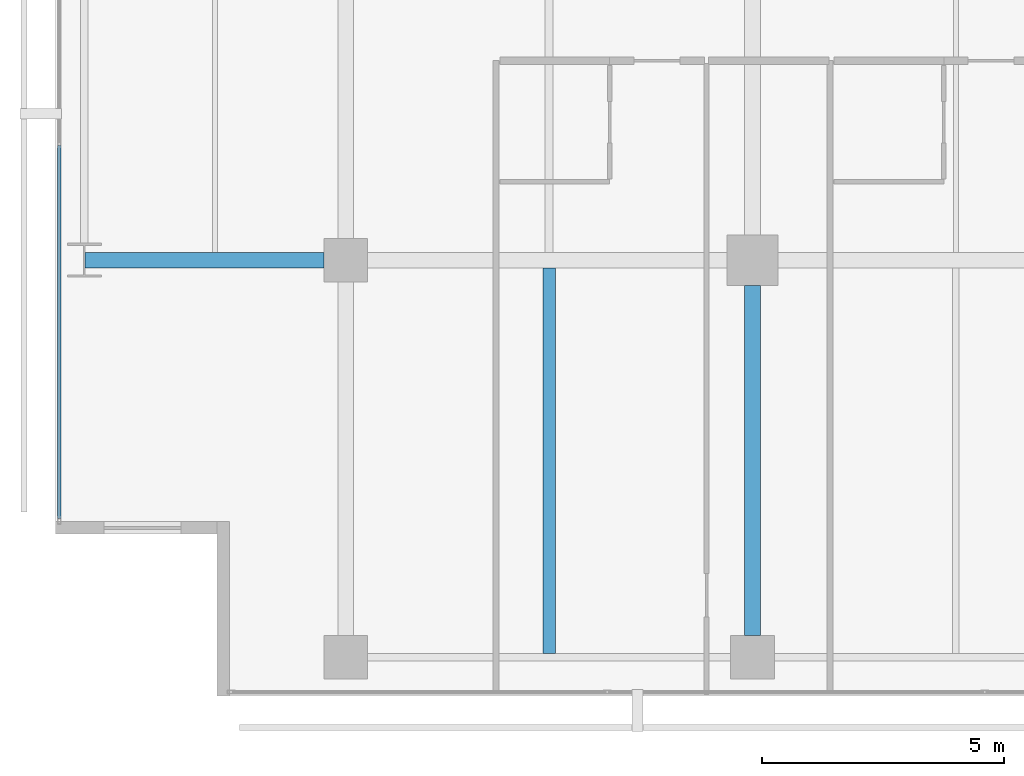
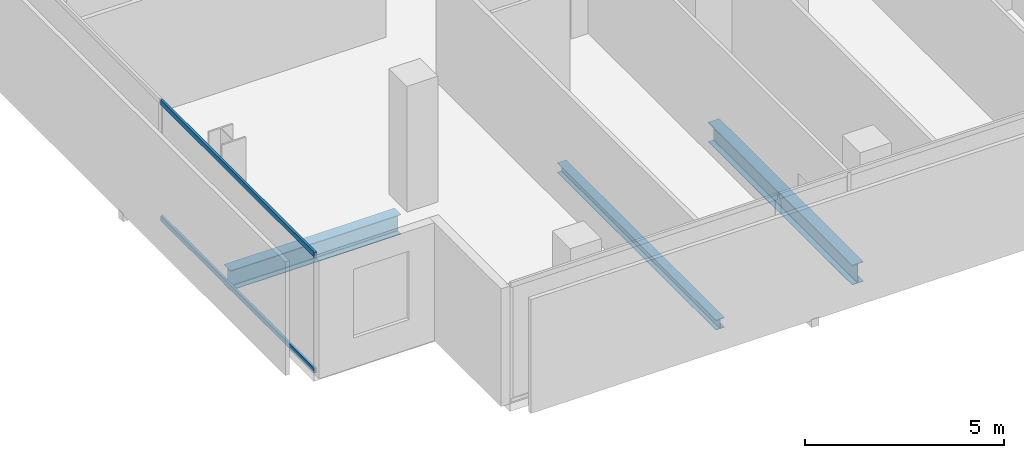
# One storey, part 4 of 40: 3 beams, 2 members, 1 element without a shape of its own.
"""IFC4 building model written with IfcOpenShell, lengths in metres."""

from ifc_helpers import new_model, si_unit, direction, frame, origin, origin_2d, place, context, subcontext, project, spatial, hollow_rectangle, i_section, extrude, material, layer, layer_set, material_profile, profile_set, type_object, element, aggregate, save


model = new_model("IFC4")

# Units and contexts
model_context = context("Model", 3, precision=1e-05, world=origin(), true_north=direction((0.0, 1.0)))
body_context = subcontext(model_context, "Body", "Model", "MODEL_VIEW")
ifc_project = project(units=[si_unit("LENGTHUNIT", "METRE"), si_unit("AREAUNIT", "SQUARE_METRE"), si_unit("VOLUMEUNIT", "CUBIC_METRE"), si_unit("PLANEANGLEUNIT", "RADIAN"), si_unit("MASSUNIT", "GRAM", prefix="KILO")], contexts=[model_context])

# Site, building, storey
site_placement = place(None, origin())
site = spatial("IfcSite", under=ifc_project, at=site_placement, CompositionType="ELEMENT")
building_placement = place(site_placement, origin())
building = spatial("IfcBuilding", under=site, at=building_placement, Name="Maruvema Waterfront Hotel and Observation Tower", CompositionType="ELEMENT")
storey_placement = place(building_placement, frame((0.0, 0.0, 77.0)))
storey = spatial("IfcBuildingStorey", under=building, at=storey_placement, Name="L18", CompositionType="ELEMENT", Elevation=77.0)

# Curtain wall, members
ifc_material_1 = material(Name="Anodised bronze aluminium and solar-control low-E IGU", Category="aluminium")
ifc_layer = layer(ifc_material_1, 0.159912109375, Name="Zone 1 Bronze Inner Thermal Curtain Wall System CW-02")
ifc_layer_set = layer_set([ifc_layer], Name="Anodised bronze aluminium and solar-control low-E IGU")
curtain_wall_type = type_object("IfcCurtainWallType", Name="Zone 1 Bronze Inner Thermal Curtain Wall System CW-02", PredefinedType="USERDEFINED", material=ifc_layer_set)
curtain_wall_placement = place(storey_placement, origin())
curtain_wall = element("IfcCurtainWall", 1, at=curtain_wall_placement, inside=storey, type_object=curtain_wall_type, Name="L18 Curtain Wall CW-L18-W", ObjectType="UNITISED CURTAIN WALL", PredefinedType="USERDEFINED")
ifc_material_2 = material(Name="Anodised architectural bronze aluminium", Category="aluminium")
ifc_material_profile_1 = material_profile(ifc_material_2, hollow_rectangle(XDim=0.070068359375, YDim=0.14990234375, WallThickness=0.00390625, at=origin_2d()), Name="ALU-T70x150")
ifc_profile_set_1 = profile_set([ifc_material_profile_1], Name="Anodised architectural bronze aluminium")
member_type = type_object("IfcMemberType", Name="Curtain Wall Horizontal Transom ALU-T70x150", PredefinedType="USERDEFINED", material=ifc_profile_set_1)
member_1_placement = place(storey_placement, frame((10.8798828125, 11.3701171875, 0.030029296875), z_axis=(0.0, -1.0, 0.0), x_axis=(1.0, 0.0, 0.0)))
member_1 = element("IfcMember", 2, at=member_1_placement, type_object=member_type, Name="CW-02 transom 6.1", ObjectType="TRANSOM", PredefinedType="USERDEFINED", context=body_context, shape_type="SweptSolid", body=[
    extrude(hollow_rectangle(XDim=0.070068359375, YDim=0.14990234375, WallThickness=0.00390625, at=origin_2d()), origin(), (0.0, 0.0, 1.0), 7.710205078125),
])
member_2_placement = place(storey_placement, frame((10.8798828125, 11.3701171875, 3.580078125), z_axis=(0.0, -1.0, 0.0), x_axis=(1.0, 0.0, 0.0)))
member_2 = element("IfcMember", 3, at=member_2_placement, type_object=member_type, Name="CW-02 transom 6.2", ObjectType="TRANSOM", PredefinedType="USERDEFINED", context=body_context, shape_type="SweptSolid", body=[
    extrude(hollow_rectangle(XDim=0.070068359375, YDim=0.14990234375, WallThickness=0.00390625, at=origin_2d()), origin(), (0.0, 0.0, 1.0), 7.710205078125),
])
aggregate(curtain_wall, [member_1, member_2])

# Beams
ifc_material_3 = material(Name="Steel ASTM A572 Grade 50", Category="steel")
ifc_material_profile_2 = material_profile(ifc_material_3, i_section(OverallWidth=0.323974609375, OverallDepth=0.611083984375, WebThickness=0.0126953125, FlangeThickness=0.01904296875, FilletRadius=0.01806640625, at=origin_2d()), Name="W610x155.0")
ifc_profile_set_2 = profile_set([ifc_material_profile_2], Name="Steel ASTM A572 Grade 50")
beam_type_1 = type_object("IfcBeamType", Name="Primary Floor Girder W610x155.0", PredefinedType="BEAM", material=ifc_profile_set_2)
beam_1_placement = place(storey_placement, frame((11.4140625, 9.0, -0.54541015625), z_axis=(1.0, 0.0, 0.0), x_axis=(0.0, 1.0, 0.0)))
element("IfcBeam", 4, at=beam_1_placement, inside=storey, type_object=beam_type_1, Name="L18 Floor Girder EW-06", PredefinedType="BEAM", context=body_context, shape_type="SweptSolid", body=[
    extrude(i_section(OverallWidth=0.323974609375, OverallDepth=0.611083984375, WebThickness=0.0126953125, FlangeThickness=0.01904296875, FilletRadius=0.01806640625, at=origin_2d()), origin(), (0.0, 0.0, 1.0), 4.93603515625),
])
beam_2_placement = place(storey_placement, frame((25.199951171875, 1.25, -0.54541015625), z_axis=(0.0, 1.0, 0.0), x_axis=(-1.0, 0.0, 0.0)))
element("IfcBeam", 5, at=beam_2_placement, inside=storey, type_object=beam_type_1, Name="L18 Floor Girder NS-11", PredefinedType="BEAM", context=body_context, shape_type="SweptSolid", body=[
    extrude(i_section(OverallWidth=0.323974609375, OverallDepth=0.611083984375, WebThickness=0.0126953125, FlangeThickness=0.01904296875, FilletRadius=0.01806640625, at=origin_2d()), origin(), (0.0, 0.0, 1.0), 7.22509765625),
])
ifc_material_4 = material(Name="Steel ASTM A572 Grade 50", Category="steel")
ifc_material_profile_3 = material_profile(ifc_material_4, i_section(OverallWidth=0.25390625, OverallDepth=0.305908203125, WebThickness=0.0087890625, FlangeThickness=0.0146484375, FilletRadius=0.014892578125, at=origin_2d()), Name="W310x79.0")
ifc_profile_set_3 = profile_set([ifc_material_profile_3], Name="Steel ASTM A572 Grade 50")
beam_type_2 = type_object("IfcBeamType", Name="Secondary Floor Joist W310x79.0", PredefinedType="JOIST", material=ifc_profile_set_3)
beam_3_placement = place(storey_placement, frame((21.0, 0.87646484375, -0.39306640625), z_axis=(0.0, 1.0, 0.0), x_axis=(-1.0, 0.0, 0.0)))
element("IfcBeam", 6, at=beam_3_placement, inside=storey, type_object=beam_type_2, Name="L18 Secondary Floor Joist JS-05", PredefinedType="JOIST", context=body_context, shape_type="SweptSolid", body=[
    extrude(i_section(OverallWidth=0.25390625, OverallDepth=0.305908203125, WebThickness=0.0087890625, FlangeThickness=0.0146484375, FilletRadius=0.014892578125, at=origin_2d()), origin(), (0.0, 0.0, 1.0), 7.96142578125),
])

save(model, "model.ifc")
